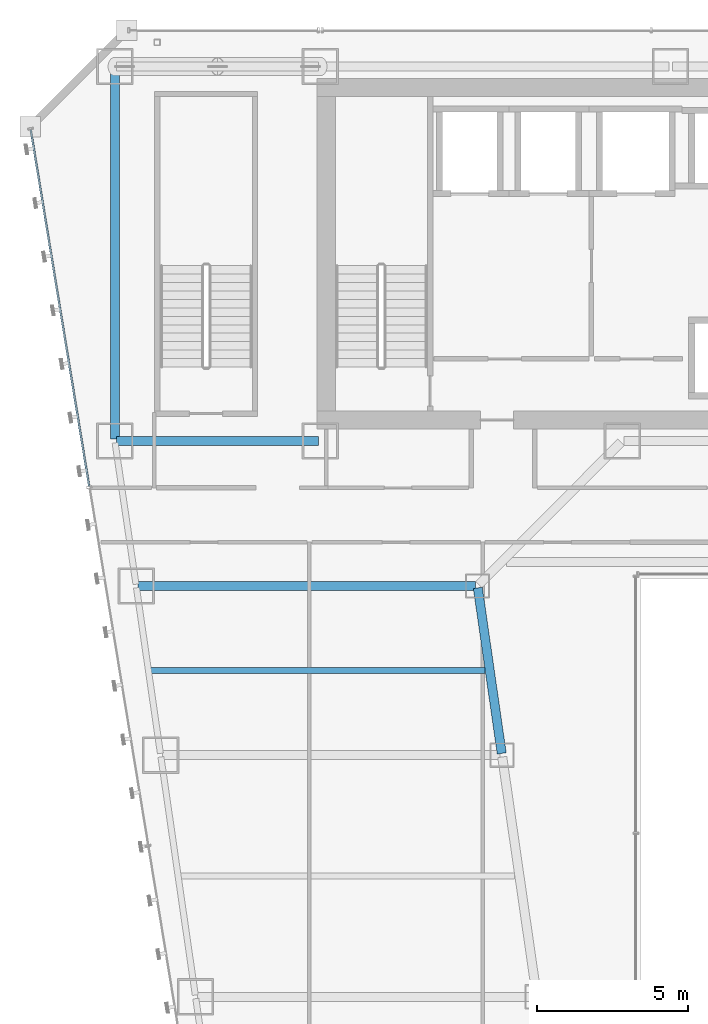
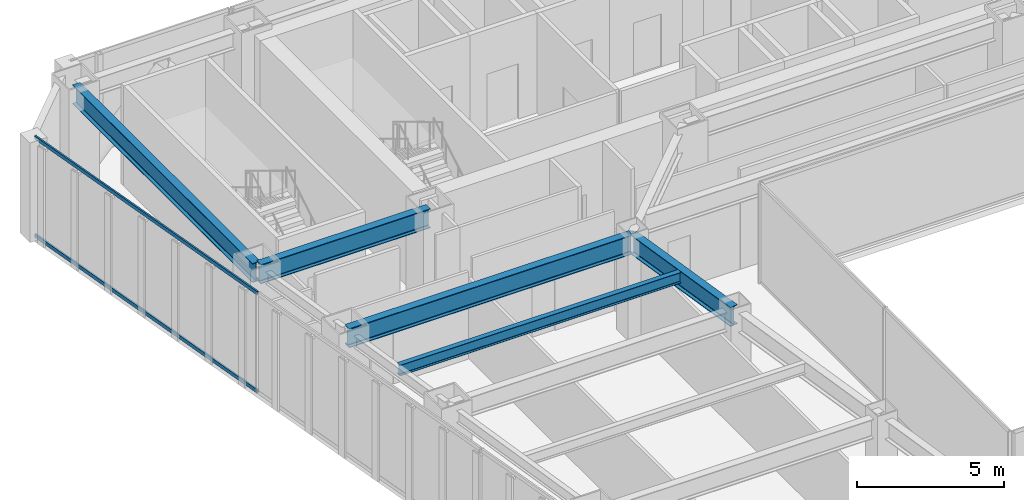
# One storey, part 23 of 47: 5 beams, 2 members, 1 element without a shape of its own.
"""IFC4 building model written with IfcOpenShell, lengths in metres."""

from ifc_helpers import new_model, si_unit, direction, frame, origin, origin_2d, place, context, subcontext, project, spatial, hollow_rectangle, i_section, extrude, material, material_profile, profile_set, type_object, element, aggregate, save


model = new_model("IFC4")

# Units and contexts
model_context = context("Model", 3, precision=1e-05, world=origin(), true_north=direction((0.0, 1.0)))
body_context = subcontext(model_context, "Body", "Model", "MODEL_VIEW")
ifc_project = project(units=[si_unit("LENGTHUNIT", "METRE"), si_unit("AREAUNIT", "SQUARE_METRE"), si_unit("VOLUMEUNIT", "CUBIC_METRE"), si_unit("PLANEANGLEUNIT", "RADIAN"), si_unit("MASSUNIT", "GRAM", prefix="KILO")], contexts=[model_context])

# Site, building, storey
site_placement = place(None, origin())
site = spatial("IfcSite", under=ifc_project, at=site_placement, CompositionType="ELEMENT")
building_placement = place(site_placement, origin())
building = spatial("IfcBuilding", under=site, at=building_placement, Name="Saevonmaru Cultural Tower", CompositionType="ELEMENT")
storey_placement = place(building_placement, frame((0.0, 0.0, 69.199951171875)))
storey = spatial("IfcBuildingStorey", under=building, at=storey_placement, Name="L14", CompositionType="ELEMENT", Elevation=69.199951171875)

# Beams
ifc_material_1 = material(Name="Steel SM420", Category="steel")
ifc_material_profile_1 = material_profile(ifc_material_1, i_section(OverallWidth=0.300048828125, OverallDepth=0.800048828125, WebThickness=0.013916015625, FlangeThickness=0.02587890625, FilletRadius=0.028076171875, at=origin_2d()), Name="H-800x300x14x26")
ifc_profile_set_1 = profile_set([ifc_material_profile_1], Name="Steel SM420")
beam_type_1 = type_object("IfcBeamType", Name="BM-G-H800", PredefinedType="BEAM", material=ifc_profile_set_1)
beam_1_placement = place(storey_placement, frame((6.860107421875, 42.39990234375, 3.75), z_axis=(1.0, 0.0, 0.0), x_axis=(0.0, 1.0, 0.0)))
element("IfcBeam", 1, at=beam_1_placement, inside=storey, type_object=beam_type_1, Name="L14 Core South Girder 1", PredefinedType="BEAM", context=body_context, shape_type="SweptSolid", body=[
    extrude(i_section(OverallWidth=0.300048828125, OverallDepth=0.800048828125, WebThickness=0.013916015625, FlangeThickness=0.02587890625, FilletRadius=0.028076171875, at=origin_2d()), origin(), (0.0, 0.0, 1.0), 6.679931640625),
])
beam_2_placement = place(storey_placement, frame((6.800048828125, 54.739990234375, 3.75), z_axis=(0.0, -1.0, 0.0), x_axis=(1.0, 0.0, 0.0)))
element("IfcBeam", 2, at=beam_2_placement, inside=storey, type_object=beam_type_1, Name="L14 Spine Transverse Girder W", PredefinedType="BEAM", context=body_context, shape_type="SweptSolid", body=[
    extrude(i_section(OverallWidth=0.300048828125, OverallDepth=0.800048828125, WebThickness=0.013916015625, FlangeThickness=0.02587890625, FilletRadius=0.028076171875, at=origin_2d()), origin(), (0.0, 0.0, 1.0), 12.280029296875),
])
beam_3_placement = place(storey_placement, frame((19.6083984375, 32.059326171875, 3.75), z_axis=(-0.142964121327, 0.989727871697, 0.0), x_axis=(-0.989727871697, -0.142964121327, 0.0)))
element("IfcBeam", 3, at=beam_3_placement, inside=storey, type_object=beam_type_1, Name="L14 West Atrium Girder 5", PredefinedType="BEAM", context=body_context, shape_type="SweptSolid", body=[
    extrude(i_section(OverallWidth=0.300048828125, OverallDepth=0.800048828125, WebThickness=0.013916015625, FlangeThickness=0.02587890625, FilletRadius=0.028076171875, at=origin_2d()), origin(), (0.0, 0.0, 1.0), 5.5380859375),
])
beam_4_placement = place(storey_placement, frame((7.568115234375, 37.60009765625, 3.75), z_axis=(1.0, 0.0, 0.0), x_axis=(0.0, 1.0, 0.0)))
element("IfcBeam", 4, at=beam_4_placement, inside=storey, type_object=beam_type_1, Name="L14 West Wing Transverse Girder 6", PredefinedType="BEAM", context=body_context, shape_type="SweptSolid", body=[
    extrude(i_section(OverallWidth=0.300048828125, OverallDepth=0.800048828125, WebThickness=0.013916015625, FlangeThickness=0.02587890625, FilletRadius=0.028076171875, at=origin_2d()), origin(), (0.0, 0.0, 1.0), 11.179931640625),
])
ifc_material_2 = material(Name="Steel SM355", Category="steel")
ifc_material_profile_2 = material_profile(ifc_material_2, i_section(OverallWidth=0.199951171875, OverallDepth=0.449951171875, WebThickness=0.009033203125, FlangeThickness=0.013916015625, FilletRadius=0.01806640625, at=origin_2d()), Name="H-450x200x9x14")
ifc_profile_set_2 = profile_set([ifc_material_profile_2], Name="Steel SM355")
beam_type_2 = type_object("IfcBeamType", Name="BM-J-H450", PredefinedType="JOIST", material=ifc_profile_set_2)
beam_5_placement = place(storey_placement, frame((7.972412109375, 34.800048828125, 3.925048828125), z_axis=(1.0, 0.0, 0.0), x_axis=(0.0, 1.0, 0.0)))
element("IfcBeam", 5, at=beam_5_placement, inside=storey, type_object=beam_type_2, Name="L14 West Wing Floor Joist 5", PredefinedType="JOIST", context=body_context, shape_type="SweptSolid", body=[
    extrude(i_section(OverallWidth=0.199951171875, OverallDepth=0.449951171875, WebThickness=0.009033203125, FlangeThickness=0.013916015625, FilletRadius=0.01806640625, at=origin_2d()), origin(), (0.0, 0.0, 1.0), 11.08203125),
])

# Curtain wall, members
ifc_material_3 = material(Name="Satin Bronze Anodised Aluminium", Category="aluminium")
curtain_wall_type = type_object("IfcCurtainWallType", Name="CW-TYP-A", PredefinedType="NOTDEFINED", material=ifc_material_3)
curtain_wall_placement = place(storey_placement, origin())
curtain_wall = element("IfcCurtainWall", 6, at=curtain_wall_placement, inside=storey, type_object=curtain_wall_type, Name="L14 Unitised Curtain Wall E12", PredefinedType="NOTDEFINED")
ifc_material_profile_3 = material_profile(ifc_material_3, hollow_rectangle(XDim=0.06494140625, YDim=0.14990234375, WallThickness=0.00390625, at=origin_2d()), Name="ALU-TRAN-150x65x4")
ifc_profile_set_3 = profile_set([ifc_material_profile_3], Name="Satin Bronze Anodised Aluminium")
member_type = type_object("IfcMemberType", Name="TR-CW-150x65", PredefinedType="USERDEFINED", material=ifc_profile_set_3)
member_1_placement = place(storey_placement, frame((4.014892578125, 52.708740234375, 0.032470703125), z_axis=(0.161724530373, -0.986835941925, 0.0), x_axis=(0.986835941925, 0.161724530373, 0.0)))
member_1 = element("IfcMember", 7, at=member_1_placement, type_object=member_type, Name="CW-TW-L14-E12 transom 1.1", ObjectType="TRANSOM", PredefinedType="USERDEFINED", context=body_context, shape_type="SweptSolid", body=[
    extrude(hollow_rectangle(XDim=0.06494140625, YDim=0.14990234375, WallThickness=0.00390625, at=origin_2d()), origin(), (0.0, 0.0, 1.0), 11.963623046875),
])
member_2_placement = place(storey_placement, frame((4.014892578125, 52.708740234375, 4.117431640625), z_axis=(0.161724530373, -0.986835941925, 0.0), x_axis=(0.986835941925, 0.161724530373, 0.0)))
member_2 = element("IfcMember", 8, at=member_2_placement, type_object=member_type, Name="CW-TW-L14-E12 transom 1.2", ObjectType="TRANSOM", PredefinedType="USERDEFINED", context=body_context, shape_type="SweptSolid", body=[
    extrude(hollow_rectangle(XDim=0.06494140625, YDim=0.14990234375, WallThickness=0.00390625, at=origin_2d()), origin(), (0.0, 0.0, 1.0), 11.963623046875),
])
aggregate(curtain_wall, [member_1, member_2])

save(model, "model.ifc")
